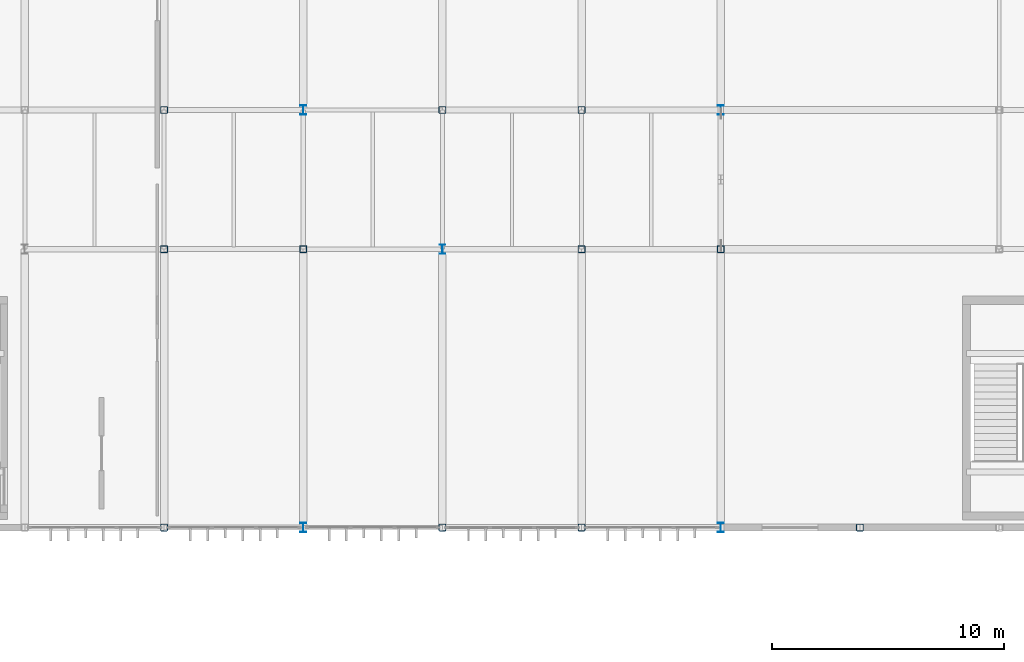
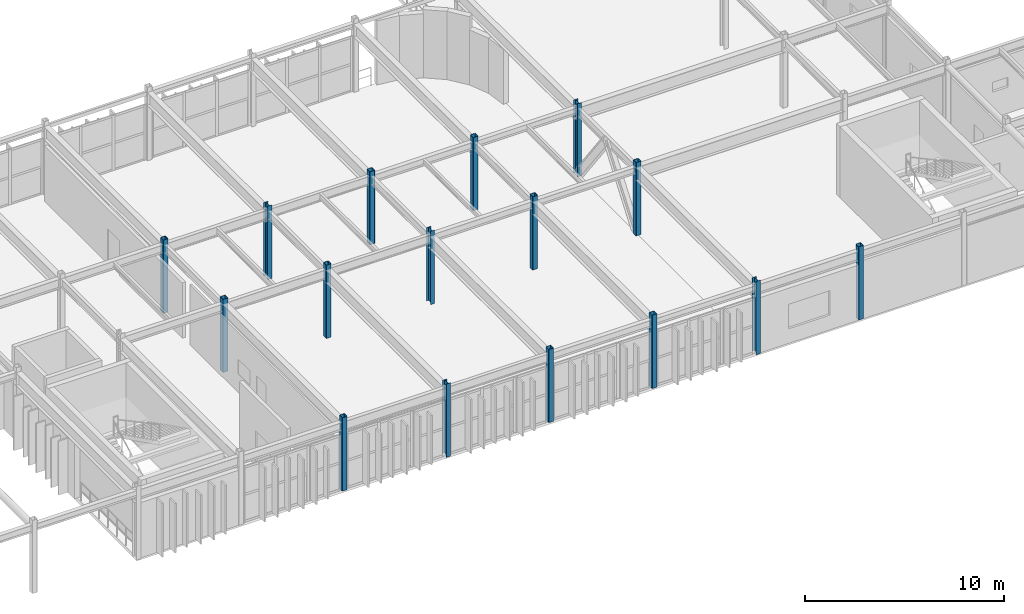
# One storey, part 15 of 96: 16 columns.
"""IFC4 building model written with IfcOpenShell, lengths in metres."""

from ifc_helpers import new_model, si_unit, direction, frame, origin, origin_2d, place, context, subcontext, project, spatial, hollow_rectangle, i_section, extrude, material, material_profile, profile_set, type_object, element, save


model = new_model("IFC4")

# Units and contexts
model_context = context("Model", 3, precision=1e-05, world=origin(), true_north=direction((0.0, 1.0)))
body_context = subcontext(model_context, "Body", "Model", "MODEL_VIEW")
ifc_project = project(units=[si_unit("LENGTHUNIT", "METRE"), si_unit("AREAUNIT", "SQUARE_METRE"), si_unit("VOLUMEUNIT", "CUBIC_METRE"), si_unit("PLANEANGLEUNIT", "RADIAN"), si_unit("MASSUNIT", "GRAM", prefix="KILO")], contexts=[model_context])

# Site, building, storey
site_placement = place(None, origin())
site = spatial("IfcSite", under=ifc_project, at=site_placement, CompositionType="ELEMENT")
building_placement = place(site_placement, origin())
building = spatial("IfcBuilding", under=site, at=building_placement, Name="Varnakota Square Police Headquarters", CompositionType="ELEMENT")
storey_placement = place(building_placement, frame((0.0, 0.0, 4.800048828125)))
storey = spatial("IfcBuildingStorey", under=building, at=storey_placement, Name="L01", CompositionType="ELEMENT", Elevation=4.800048828125)

# Columns
ifc_material = material(Name="Steel IS 2062 Grade 350", Category="steel")
ifc_material_profile_1 = material_profile(ifc_material, i_section(OverallWidth=0.25, OverallDepth=0.39990234375, WebThickness=0.010498046875, FlangeThickness=0.0126953125, FilletRadius=0.013916015625, at=origin_2d()), Name="ISHB 400")
ifc_profile_set_1 = profile_set([ifc_material_profile_1], Name="Steel IS 2062 Grade 350")
column_type_1 = type_object("IfcColumnType", Name="COL-ISHB400", PredefinedType="COLUMN", material=ifc_profile_set_1)
for number, where, z_axis, x_axis, name in (
    (1, (78.0, 69.0, 0.0), (0.0, 0.0, 1.0), (1.0, 0.0, 0.0), "Column X0780-Y0690 L01"),
    (2, (78.0, 87.0, 0.0), (0.0, 0.0, 1.0), (1.0, 0.0, 0.0), "Column X0780-Y0870 L01"),
    (3, (84.0, 81.0, 0.0), (0.0, 0.0, 1.0), (1.0, 0.0, 0.0), "Column X0840-Y0810 L01"),
    (4, (96.0, 69.0, 0.0), (0.0, 0.0, 1.0), (1.0, 0.0, 0.0), "Column X0960-Y0690 L01"),
    (5, (96.0, 87.0, 0.0), (0.0, 0.0, 1.0), (1.0, 0.0, 0.0), "Column X0960-Y0870 L01"),
):
    element("IfcColumn", number, at=place(storey_placement, frame(where, z_axis=z_axis, x_axis=x_axis)), inside=storey, type_object=column_type_1, Name=name, PredefinedType="COLUMN", context=body_context, shape_type="SweptSolid", body=[
        extrude(i_section(OverallWidth=0.25, OverallDepth=0.39990234375, WebThickness=0.010498046875, FlangeThickness=0.0126953125, FilletRadius=0.013916015625, at=origin_2d()), origin(), (0.0, 0.0, 1.0), 4.5),
    ])
ifc_material_profile_2 = material_profile(ifc_material, hollow_rectangle(XDim=0.300048828125, YDim=0.300048828125, WallThickness=0.01611328125, InnerFilletRadius=0.01611328125, OuterFilletRadius=0.031982421875, at=origin_2d()), Name="SHS 300x300x16")
ifc_profile_set_2 = profile_set([ifc_material_profile_2], Name="Steel IS 2062 Grade 350")
column_type_2 = type_object("IfcColumnType", Name="COL-SHS300", PredefinedType="COLUMN", material=ifc_profile_set_2)
for number, where, z_axis, x_axis, name in (
    (6, (72.0, 69.0, 0.0), (0.0, 0.0, 1.0), (1.0, 0.0, 0.0), "Column X0720-Y0690 L01"),
    (7, (72.0, 81.0, 0.0), (0.0, 0.0, 1.0), (1.0, 0.0, 0.0), "Column X0720-Y0810 L01"),
    (8, (72.0, 87.0, 0.0), (0.0, 0.0, 1.0), (1.0, 0.0, 0.0), "Column X0720-Y0870 L01"),
    (9, (78.0, 81.0, 0.0), (0.0, 0.0, 1.0), (1.0, 0.0, 0.0), "Column X0780-Y0810 L01"),
    (10, (84.0, 69.0, 0.0), (0.0, 0.0, 1.0), (1.0, 0.0, 0.0), "Column X0840-Y0690 L01"),
    (11, (84.0, 87.0, 0.0), (0.0, 0.0, 1.0), (1.0, 0.0, 0.0), "Column X0840-Y0870 L01"),
    (12, (90.0, 69.0, 0.0), (0.0, 0.0, 1.0), (1.0, 0.0, 0.0), "Column X0900-Y0690 L01"),
    (13, (90.0, 81.0, 0.0), (0.0, 0.0, 1.0), (1.0, 0.0, 0.0), "Column X0900-Y0810 L01"),
    (14, (90.0, 87.0, 0.0), (0.0, 0.0, 1.0), (1.0, 0.0, 0.0), "Column X0900-Y0870 L01"),
    (15, (96.0, 81.0, 0.0), (0.0, 0.0, 1.0), (1.0, 0.0, 0.0), "Column X0960-Y0810 L01"),
    (16, (102.0, 69.0, 0.0), (0.0, 0.0, 1.0), (1.0, 0.0, 0.0), "Column X1020-Y0690 L01"),
):
    element("IfcColumn", number, at=place(storey_placement, frame(where, z_axis=z_axis, x_axis=x_axis)), inside=storey, type_object=column_type_2, Name=name, PredefinedType="COLUMN", context=body_context, shape_type="SweptSolid", body=[
        extrude(hollow_rectangle(XDim=0.300048828125, YDim=0.300048828125, WallThickness=0.01611328125, InnerFilletRadius=0.01611328125, OuterFilletRadius=0.031982421875, at=origin_2d()), origin(), (0.0, 0.0, 1.0), 4.5),
    ])

save(model, "model.ifc")
